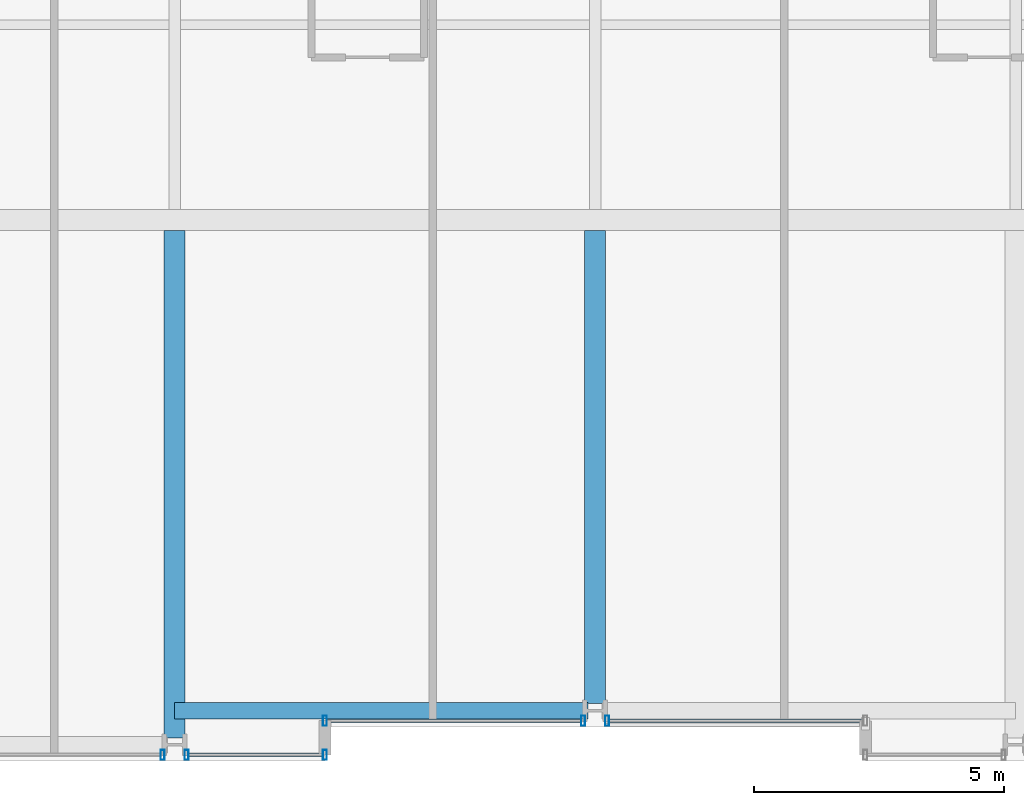
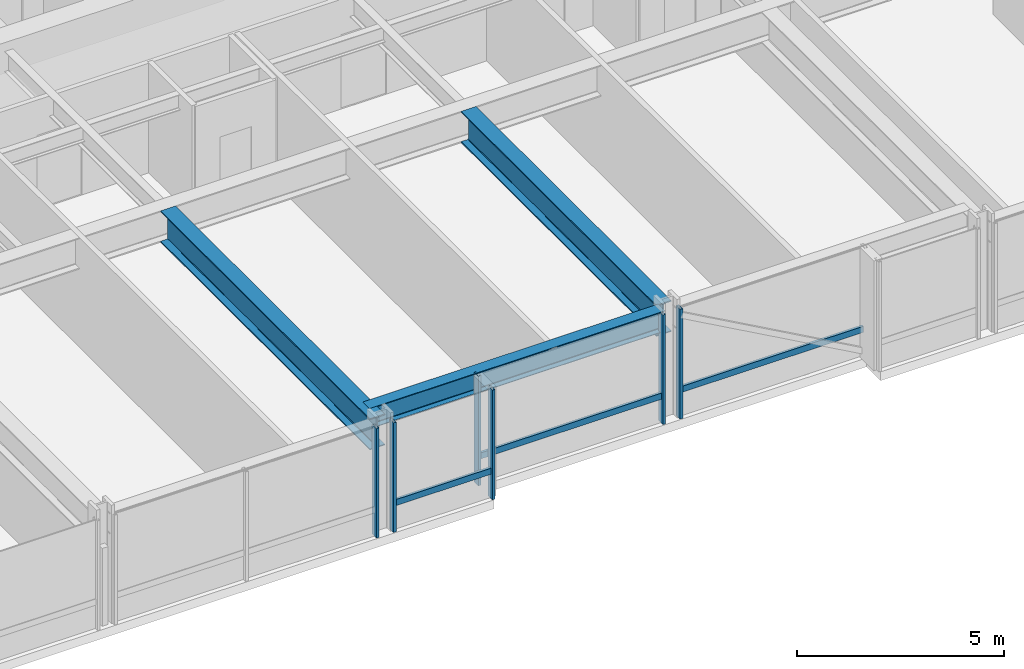
# One storey, part 5 of 38: 9 members, 3 beams, 4 elements without a shape of their own.
"""IFC4 building model written with IfcOpenShell, lengths in metres."""

from ifc_helpers import new_model, si_unit, direction, frame, origin, origin_2d, place, context, subcontext, project, spatial, hollow_rectangle, i_section, extrude, material, layer, layer_set, material_profile, profile_set, type_object, element, aggregate, save


model = new_model("IFC4")

# Units and contexts
model_context = context("Model", 3, precision=1e-05, world=origin(), true_north=direction((0.0, 1.0)))
body_context = subcontext(model_context, "Body", "Model", "MODEL_VIEW")
ifc_project = project(units=[si_unit("LENGTHUNIT", "METRE"), si_unit("AREAUNIT", "SQUARE_METRE"), si_unit("VOLUMEUNIT", "CUBIC_METRE"), si_unit("PLANEANGLEUNIT", "RADIAN"), si_unit("MASSUNIT", "GRAM", prefix="KILO")], contexts=[model_context])

# Site, building, storey
site_placement = place(None, origin())
site = spatial("IfcSite", under=ifc_project, at=site_placement, CompositionType="ELEMENT")
building_placement = place(site_placement, origin())
building = spatial("IfcBuilding", under=site, at=building_placement, Name="Drelvath Grand Hotel", CompositionType="ELEMENT")
storey_placement = place(building_placement, frame((0.0, 0.0, 57.699951171875)))
storey = spatial("IfcBuildingStorey", under=building, at=storey_placement, Name="L13", CompositionType="ELEMENT", Elevation=57.699951171875)

# Curtain wall, member
ifc_material_1 = material(Name="Warm Bronze Anodised Aluminium Frame", Category="aluminium")
ifc_layer = layer(ifc_material_1, 0.199951171875)
ifc_layer_set = layer_set([ifc_layer], Name="Warm Bronze Anodised Aluminium Frame")
curtain_wall_type = type_object("IfcCurtainWallType", Name="Stick Curtain Wall CW-02 Warm Bronze Low-Rise", PredefinedType="NOTDEFINED", material=ifc_layer_set)
curtain_wall_1_placement = place(storey_placement, origin())
curtain_wall_1 = element("IfcCurtainWall", 1, at=curtain_wall_1_placement, inside=storey, type_object=curtain_wall_type, Name="L13 CW-02 Curtain Wall CW02-L13-SM1", PredefinedType="NOTDEFINED")
ifc_material_profile_1 = material_profile(ifc_material_1, hollow_rectangle(XDim=0.074951171875, YDim=0.179931640625, WallThickness=0.0048828125, at=origin_2d()), Name="HSS180X75X5")
ifc_profile_set_1 = profile_set([ifc_material_profile_1], Name="Warm Bronze Anodised Aluminium Frame")
member_type_1 = type_object("IfcMemberType", Name="Curtain Wall Horizontal Transom CW-02 HSS180X75X5", PredefinedType="USERDEFINED", material=ifc_profile_set_1)
member_1_placement = place(storey_placement, frame((-0.281005859375, 0.800048828125, 0.81005859375), z_axis=(-1.0, 0.0, 0.0), x_axis=(0.0, -1.0, 0.0)))
member_1 = element("IfcMember", 2, at=member_1_placement, type_object=member_type_1, Name="CW02-L13-SM1 Sill Transom", ObjectType="TRANSOM", PredefinedType="USERDEFINED", context=body_context, shape_type="SweptSolid", body=[
    extrude(hollow_rectangle(XDim=0.074951171875, YDim=0.179931640625, WallThickness=0.0048828125, at=origin_2d()), origin(), (0.0, 0.0, 1.0), 5.0791015625),
])

curtain_wall_2_placement = place(storey_placement, origin())
curtain_wall_2 = element("IfcCurtainWall", 3, at=curtain_wall_2_placement, inside=storey, type_object=curtain_wall_type, Name="L13 CW-02 Curtain Wall CW02-L13-SM2", PredefinedType="NOTDEFINED")
member_2_placement = place(storey_placement, frame((5.360107421875, 0.800048828125, 0.81005859375), z_axis=(-1.0, 0.0, 0.0), x_axis=(0.0, -1.0, 0.0)))
member_2 = element("IfcMember", 4, at=member_2_placement, type_object=member_type_1, Name="CW02-L13-SM2 Sill Transom", ObjectType="TRANSOM", PredefinedType="USERDEFINED", context=body_context, shape_type="SweptSolid", body=[
    extrude(hollow_rectangle(XDim=0.074951171875, YDim=0.179931640625, WallThickness=0.0048828125, at=origin_2d()), origin(), (0.0, 0.0, 1.0), 5.0791015625),
])

curtain_wall_3_placement = place(storey_placement, origin())
curtain_wall_3 = element("IfcCurtainWall", 5, at=curtain_wall_3_placement, inside=storey, type_object=curtain_wall_type, Name="L13 CW-02 Curtain Wall CW02-L13-SW3", PredefinedType="NOTDEFINED")
member_3_placement = place(storey_placement, frame((-5.43994140625, 0.1201171875, 0.81005859375), z_axis=(-1.0, 0.0, 0.0), x_axis=(0.0, -1.0, 0.0)))
member_3 = element("IfcMember", 6, at=member_3_placement, type_object=member_type_1, Name="CW02-L13-SW3 Sill Transom", ObjectType="TRANSOM", PredefinedType="USERDEFINED", context=body_context, shape_type="SweptSolid", body=[
    extrude(hollow_rectangle(XDim=0.074951171875, YDim=0.179931640625, WallThickness=0.0048828125, at=origin_2d()), origin(), (0.0, 0.0, 1.0), 2.67919921875),
])

# Member
ifc_material_profile_2 = material_profile(ifc_material_1, hollow_rectangle(XDim=0.080078125, YDim=0.199951171875, WallThickness=0.0048828125, at=origin_2d()), Name="HSS200X80X5")
ifc_profile_set_2 = profile_set([ifc_material_profile_2], Name="Warm Bronze Anodised Aluminium Frame")
member_type_2 = type_object("IfcMemberType", Name="Curtain Wall Vertical Mullion CW-02 HSS200X80X5", PredefinedType="MULLION", material=ifc_profile_set_2)
member_4_placement = place(storey_placement, frame((-0.240966796875, 0.800048828125, 0.0), z_axis=(0.0, 0.0, 1.0), x_axis=(1.0, 0.0, 0.0)))
member_4 = element("IfcMember", 7, at=member_4_placement, type_object=member_type_2, Name="CW02-L13-SM1 Mullion 1", PredefinedType="MULLION", context=body_context, shape_type="SweptSolid", body=[
    extrude(hollow_rectangle(XDim=0.080078125, YDim=0.199951171875, WallThickness=0.0048828125, at=origin_2d()), origin(), (0.0, 0.0, 1.0), 3.239990234375),
])

member_5_placement = place(storey_placement, frame((-5.39990234375, 0.800048828125, 0.0), z_axis=(0.0, 0.0, 1.0), x_axis=(1.0, 0.0, 0.0)))
member_5 = element("IfcMember", 8, at=member_5_placement, type_object=member_type_2, Name="CW02-L13-SM1 Mullion 2", PredefinedType="MULLION", context=body_context, shape_type="SweptSolid", body=[
    extrude(hollow_rectangle(XDim=0.080078125, YDim=0.199951171875, WallThickness=0.0048828125, at=origin_2d()), origin(), (0.0, 0.0, 1.0), 3.239990234375),
])

aggregate(curtain_wall_1, [member_4, member_5, member_1])

member_6_placement = place(storey_placement, frame((0.240966796875, 0.800048828125, 0.0), z_axis=(0.0, 0.0, 1.0), x_axis=(1.0, 0.0, 0.0)))
member_6 = element("IfcMember", 9, at=member_6_placement, type_object=member_type_2, Name="CW02-L13-SM2 Mullion 2", PredefinedType="MULLION", context=body_context, shape_type="SweptSolid", body=[
    extrude(hollow_rectangle(XDim=0.080078125, YDim=0.199951171875, WallThickness=0.0048828125, at=origin_2d()), origin(), (0.0, 0.0, 1.0), 3.239990234375),
])

aggregate(curtain_wall_2, [member_6, member_2])

# Curtain wall, member
curtain_wall_4_placement = place(storey_placement, origin())
curtain_wall_4 = element("IfcCurtainWall", 10, at=curtain_wall_4_placement, inside=storey, type_object=curtain_wall_type, Name="L13 CW-02 Curtain Wall CW02-L13-SW2", PredefinedType="NOTDEFINED")
member_7_placement = place(storey_placement, frame((-8.640869140625, 0.1201171875, 0.0), z_axis=(0.0, 0.0, 1.0), x_axis=(1.0, 0.0, 0.0)))
member_7 = element("IfcMember", 11, at=member_7_placement, type_object=member_type_2, Name="CW02-L13-SW2 Mullion 1", PredefinedType="MULLION", context=body_context, shape_type="SweptSolid", body=[
    extrude(hollow_rectangle(XDim=0.080078125, YDim=0.199951171875, WallThickness=0.0048828125, at=origin_2d()), origin(), (0.0, 0.0, 1.0), 3.239990234375),
])
aggregate(curtain_wall_4, [member_7])

# Member
member_8_placement = place(storey_placement, frame((-5.39990234375, 0.1201171875, 0.0), z_axis=(0.0, 0.0, 1.0), x_axis=(1.0, 0.0, 0.0)))
member_8 = element("IfcMember", 12, at=member_8_placement, type_object=member_type_2, Name="CW02-L13-SW3 Mullion 1", PredefinedType="MULLION", context=body_context, shape_type="SweptSolid", body=[
    extrude(hollow_rectangle(XDim=0.080078125, YDim=0.199951171875, WallThickness=0.0048828125, at=origin_2d()), origin(), (0.0, 0.0, 1.0), 3.239990234375),
])

member_9_placement = place(storey_placement, frame((-8.1591796875, 0.1201171875, 0.0), z_axis=(0.0, 0.0, 1.0), x_axis=(1.0, 0.0, 0.0)))
member_9 = element("IfcMember", 13, at=member_9_placement, type_object=member_type_2, Name="CW02-L13-SW3 Mullion 2", PredefinedType="MULLION", context=body_context, shape_type="SweptSolid", body=[
    extrude(hollow_rectangle(XDim=0.080078125, YDim=0.199951171875, WallThickness=0.0048828125, at=origin_2d()), origin(), (0.0, 0.0, 1.0), 3.239990234375),
])

aggregate(curtain_wall_3, [member_8, member_9, member_3])

# Beams
ifc_material_2 = material(Name="Steel ASTM A992 Gr 50", Category="steel")
ifc_material_profile_3 = material_profile(ifc_material_2, i_section(OverallWidth=0.323974609375, OverallDepth=0.611083984375, WebThickness=0.0126953125, FlangeThickness=0.01904296875, FilletRadius=0.02197265625, at=origin_2d()), Name="W24X104")
ifc_profile_set_3 = profile_set([ifc_material_profile_3], Name="Steel ASTM A992 Gr 50")
beam_type_1 = type_object("IfcBeamType", Name="Perimeter Spandrel Beam W24X104", PredefinedType="SPANDREL", material=ifc_profile_set_3)
beam_1_placement = place(storey_placement, frame((-8.39990234375, 1.0, 2.9345703125), z_axis=(1.0, 0.0, 0.0), x_axis=(0.0, 1.0, 0.0)))
element("IfcBeam", 14, at=beam_1_placement, inside=storey, type_object=beam_type_1, Name="L13 Spandrel South Mid W", PredefinedType="SPANDREL", context=body_context, shape_type="SweptSolid", body=[
    extrude(i_section(OverallWidth=0.323974609375, OverallDepth=0.611083984375, WebThickness=0.0126953125, FlangeThickness=0.01904296875, FilletRadius=0.02197265625, at=origin_2d()), origin(), (0.0, 0.0, 1.0), 8.260009765625),
])
ifc_material_profile_4 = material_profile(ifc_material_2, i_section(OverallWidth=0.418212890625, OverallDepth=0.926513671875, WebThickness=0.019287109375, FlangeThickness=0.031982421875, FilletRadius=0.028076171875, at=origin_2d()), Name="W36X231")
ifc_profile_set_4 = profile_set([ifc_material_profile_4], Name="Steel ASTM A992 Gr 50")
beam_type_2 = type_object("IfcBeamType", Name="Primary Floor Girder W36X231", PredefinedType="BEAM", material=ifc_profile_set_4)
beam_2_placement = place(storey_placement, frame((-8.39990234375, 0.4599609375, 2.77685546875), z_axis=(0.0, 1.0, 0.0), x_axis=(-1.0, 0.0, 0.0)))
element("IfcBeam", 15, at=beam_2_placement, inside=storey, type_object=beam_type_2, Name="L13 South Wing Girder 4", PredefinedType="BEAM", context=body_context, shape_type="SweptSolid", body=[
    extrude(i_section(OverallWidth=0.418212890625, OverallDepth=0.926513671875, WebThickness=0.019287109375, FlangeThickness=0.031982421875, FilletRadius=0.028076171875, at=origin_2d()), origin(), (0.0, 0.0, 1.0), 10.130859375),
])
beam_3_placement = place(storey_placement, frame((0.0, 1.139892578125, 2.77685546875), z_axis=(0.0, 1.0, 0.0), x_axis=(-1.0, 0.0, 0.0)))
element("IfcBeam", 16, at=beam_3_placement, inside=storey, type_object=beam_type_2, Name="L13 South Wing Girder 5", PredefinedType="BEAM", context=body_context, shape_type="SweptSolid", body=[
    extrude(i_section(OverallWidth=0.418212890625, OverallDepth=0.926513671875, WebThickness=0.019287109375, FlangeThickness=0.031982421875, FilletRadius=0.028076171875, at=origin_2d()), origin(), (0.0, 0.0, 1.0), 9.450927734375),
])

save(model, "model.ifc")
